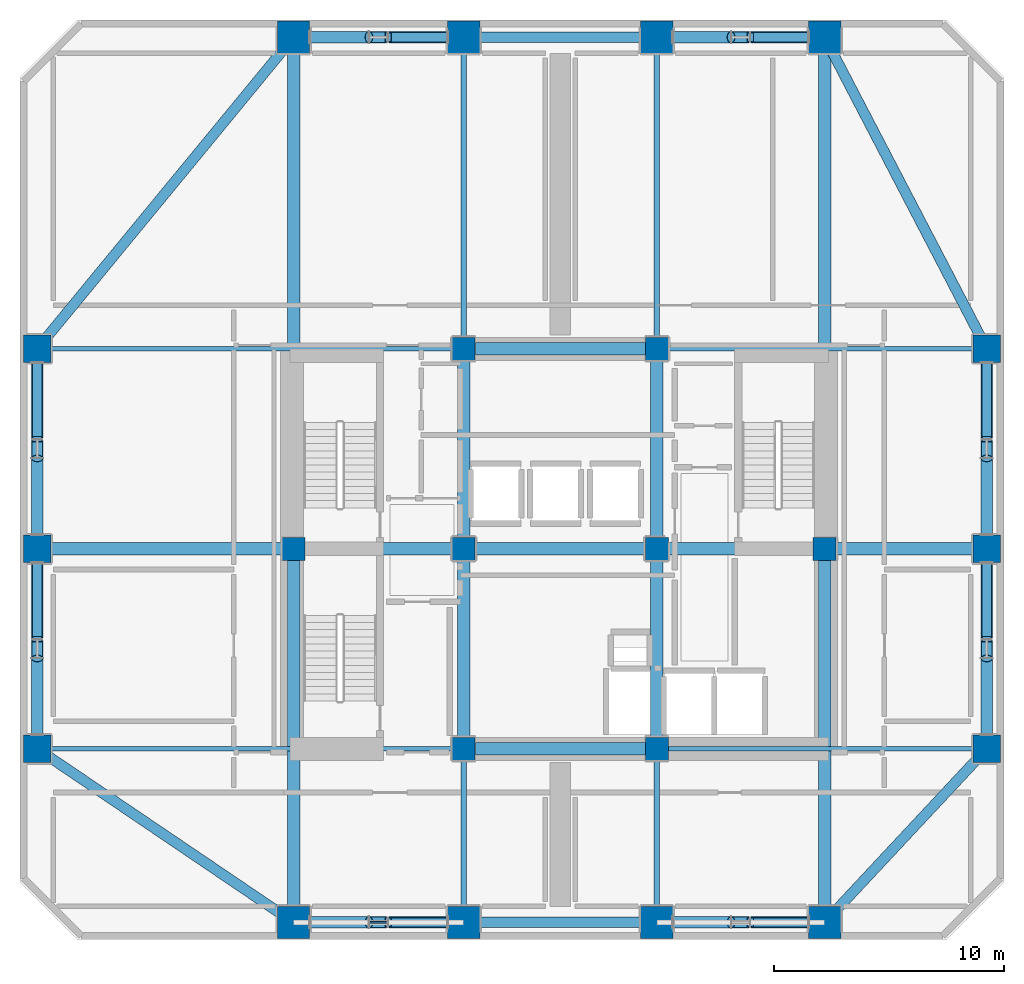
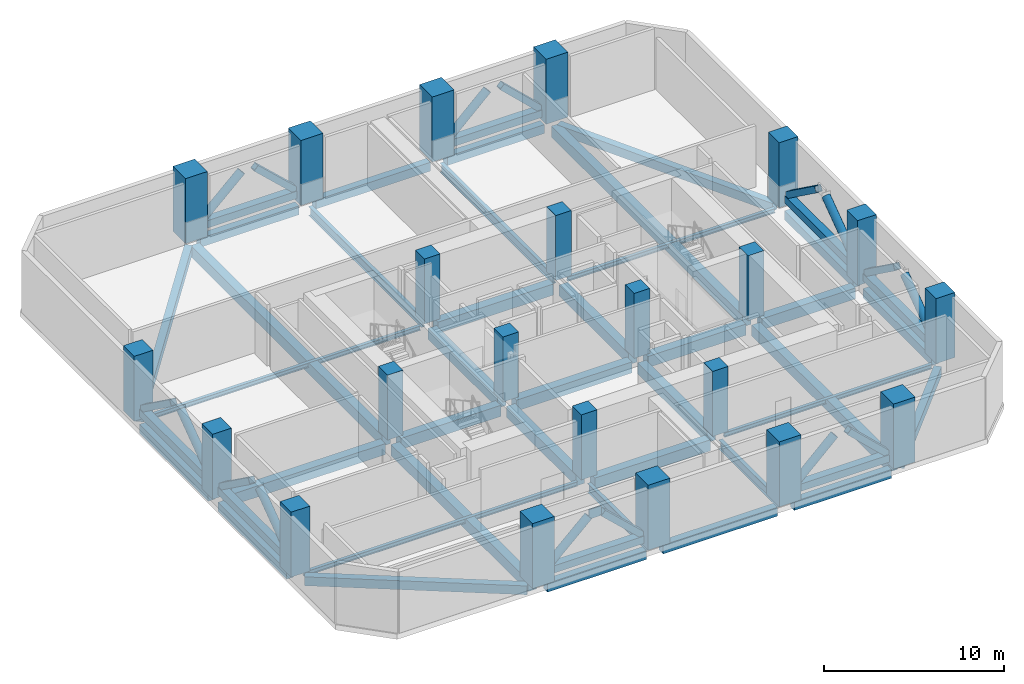
# One storey, part 1 of 11: 37 beams, 24 members, 22 columns, 1 plate.
"""IFC4 building model written with IfcOpenShell, lengths in metres."""

from ifc_helpers import new_model, si_unit, direction, frame, origin, origin_2d, place, context, subcontext, project, spatial, rectangle, hollow_rectangle, hollow_circle, i_section, extrude, material, layer, layer_set, material_profile, profile_set, type_object, element, save


model = new_model("IFC4")

# Units and contexts
model_context = context("Model", 3, precision=1e-05, world=origin(), true_north=direction((0.0, 1.0)))
body_context = subcontext(model_context, "Body", "Model", "MODEL_VIEW")
ifc_project = project(units=[si_unit("LENGTHUNIT", "METRE"), si_unit("AREAUNIT", "SQUARE_METRE"), si_unit("VOLUMEUNIT", "CUBIC_METRE"), si_unit("PLANEANGLEUNIT", "RADIAN"), si_unit("MASSUNIT", "GRAM", prefix="KILO")], contexts=[model_context])

# Site, building, storey
site_placement = place(None, origin())
site = spatial("IfcSite", under=ifc_project, at=site_placement, CompositionType="ELEMENT")
building_placement = place(site_placement, origin())
building = spatial("IfcBuilding", under=site, at=building_placement, Name="Solanera Arch Residences", CompositionType="ELEMENT")
storey_placement = place(building_placement, frame((0.0, 0.0, 88.39990234375)))
storey = spatial("IfcBuildingStorey", under=building, at=storey_placement, Name="L25", CompositionType="ELEMENT", Elevation=88.39990234375)

# Columns
ifc_material_1 = material(Name="Concrete C55/67 (f'c = 60 MPa)", Category="concrete")
ifc_material_profile_1 = material_profile(ifc_material_1, rectangle(XDim=1.0, YDim=1.0, at=origin_2d()))
ifc_profile_set_1 = profile_set([ifc_material_profile_1], Name="Concrete C55/67 (f'c = 60 MPa)")
column_type_1 = type_object("IfcColumnType", Name="Structural Column RC-COL-1000X1000", PredefinedType="COLUMN", material=ifc_profile_set_1)
for number, where, z_axis, x_axis, name in (
    (1, (20.800048828125, 22.0, 0.0), (0.0, 0.0, 1.0), (1.0, 0.0, 0.0), "COL-L25-CB-SW"),
    (2, (29.199951171875, 22.0, 0.0), (0.0, 0.0, 1.0), (1.0, 0.0, 0.0), "COL-L25-CB-SE"),
    (3, (20.800048828125, 39.39990234375, 0.0), (0.0, 0.0, 1.0), (1.0, 0.0, 0.0), "COL-L25-CB-NW"),
    (4, (29.199951171875, 39.39990234375, 0.0), (0.0, 0.0, 1.0), (1.0, 0.0, 0.0), "COL-L25-CB-NE"),
    (5, (13.39990234375, 30.699951171875, 0.0), (0.0, 0.0, 1.0), (1.0, 0.0, 0.0), "COL-L25-CB-WW"),
    (6, (36.5, 30.699951171875, 0.0), (0.0, 0.0, 1.0), (1.0, 0.0, 0.0), "COL-L25-CB-EE"),
    (7, (20.800048828125, 30.699951171875, 0.0), (0.0, 0.0, 1.0), (1.0, 0.0, 0.0), "COL-L25-CORE-W"),
    (8, (29.199951171875, 30.699951171875, 0.0), (0.0, 0.0, 1.0), (1.0, 0.0, 0.0), "COL-L25-CORE-E"),
):
    element("IfcColumn", number, at=place(storey_placement, frame(where, z_axis=z_axis, x_axis=x_axis)), inside=storey, type_object=column_type_1, Name=name, PredefinedType="COLUMN", context=body_context, shape_type="SweptSolid", body=[
        extrude(rectangle(XDim=1.0, YDim=1.0, at=origin_2d()), origin(), (0.0, 0.0, 1.0), 4.400146484375),
    ])
ifc_material_2 = material(Name="Concrete C55/67 (f'c = 60 MPa)", Category="concrete")
ifc_material_profile_2 = material_profile(ifc_material_2, rectangle(XDim=1.199951171875, YDim=1.199951171875, at=origin_2d()))
ifc_profile_set_2 = profile_set([ifc_material_profile_2], Name="Concrete C55/67 (f'c = 60 MPa)")
column_type_2 = type_object("IfcColumnType", Name="Structural Column RC-COL-1200X1200", PredefinedType="COLUMN", material=ifc_profile_set_2)
for number, where, z_axis, x_axis, name in (
    (9, (2.25, 22.0, 0.0), (0.0, 0.0, 1.0), (1.0, 0.0, 0.0), "COL-L25-TWR-09"),
    (10, (43.550048828125, 22.0, 0.0), (0.0, 0.0, 1.0), (1.0, 0.0, 0.0), "COL-L25-TWR-10"),
    (11, (2.25, 30.699951171875, 0.0), (0.0, 0.0, 1.0), (1.0, 0.0, 0.0), "COL-L25-TWR-11"),
    (12, (43.550048828125, 30.699951171875, 0.0), (0.0, 0.0, 1.0), (1.0, 0.0, 0.0), "COL-L25-TWR-12"),
    (13, (2.25, 39.39990234375, 0.0), (0.0, 0.0, 1.0), (1.0, 0.0, 0.0), "COL-L25-TWR-13"),
    (14, (43.550048828125, 39.39990234375, 0.0), (0.0, 0.0, 1.0), (1.0, 0.0, 0.0), "COL-L25-TWR-14"),
):
    element("IfcColumn", number, at=place(storey_placement, frame(where, z_axis=z_axis, x_axis=x_axis)), inside=storey, type_object=column_type_2, Name=name, PredefinedType="COLUMN", context=body_context, shape_type="SweptSolid", body=[
        extrude(rectangle(XDim=1.199951171875, YDim=1.199951171875, at=origin_2d()), origin(), (0.0, 0.0, 1.0), 4.400146484375),
    ])
ifc_material_3 = material(Name="Concrete C55/67 (f'c = 60 MPa)", Category="concrete")
ifc_material_profile_3 = material_profile(ifc_material_3, rectangle(XDim=1.39990234375, YDim=1.39990234375, at=origin_2d()))
ifc_profile_set_3 = profile_set([ifc_material_profile_3], Name="Concrete C55/67 (f'c = 60 MPa)")
column_type_3 = type_object("IfcColumnType", Name="Structural Column RC-COL-1400X1400", PredefinedType="COLUMN", material=ifc_profile_set_3)
for number, where, z_axis, x_axis, name in (
    (15, (13.39990234375, 14.449951171875, 0.0), (0.0, 0.0, 1.0), (1.0, 0.0, 0.0), "COL-L25-TWR-01"),
    (16, (13.39990234375, 52.949951171875, 0.0), (0.0, 0.0, 1.0), (1.0, 0.0, 0.0), "COL-L25-TWR-02"),
    (17, (20.800048828125, 14.449951171875, 0.0), (0.0, 0.0, 1.0), (1.0, 0.0, 0.0), "COL-L25-TWR-03"),
    (18, (20.800048828125, 52.949951171875, 0.0), (0.0, 0.0, 1.0), (1.0, 0.0, 0.0), "COL-L25-TWR-04"),
    (19, (29.199951171875, 14.449951171875, 0.0), (0.0, 0.0, 1.0), (1.0, 0.0, 0.0), "COL-L25-TWR-05"),
    (20, (29.199951171875, 52.949951171875, 0.0), (0.0, 0.0, 1.0), (1.0, 0.0, 0.0), "COL-L25-TWR-06"),
    (21, (36.5, 14.449951171875, 0.0), (0.0, 0.0, 1.0), (1.0, 0.0, 0.0), "COL-L25-TWR-07"),
    (22, (36.5, 52.949951171875, 0.0), (0.0, 0.0, 1.0), (1.0, 0.0, 0.0), "COL-L25-TWR-08"),
):
    element("IfcColumn", number, at=place(storey_placement, frame(where, z_axis=z_axis, x_axis=x_axis)), inside=storey, type_object=column_type_3, Name=name, PredefinedType="COLUMN", context=body_context, shape_type="SweptSolid", body=[
        extrude(rectangle(XDim=1.39990234375, YDim=1.39990234375, at=origin_2d()), origin(), (0.0, 0.0, 1.0), 4.400146484375),
    ])

# Members
ifc_material_4 = material(Name="Steel S355 (ASTM A992 / A572 Grade 50)", Category="steel")
ifc_material_profile_4 = material_profile(ifc_material_4, hollow_rectangle(XDim=0.5, YDim=0.5, WallThickness=0.02001953125, at=origin_2d()))
ifc_profile_set_4 = profile_set([ifc_material_profile_4], Name="Steel S355 (ASTM A992 / A572 Grade 50)")
member_type_1 = type_object("IfcMemberType", Name="Belt Chord HSS500X500X20", PredefinedType="CHORD", material=ifc_profile_set_4)
member_1_placement = place(storey_placement, frame((14.10009765625, 14.449951171875, 0.4501953125), z_axis=(1.0, 0.0, 0.0), x_axis=(0.0, 1.0, 0.0)))
element("IfcMember", 23, at=member_1_placement, inside=storey, type_object=member_type_1, Name="L25 Belt Truss Chord 1", PredefinedType="CHORD", context=body_context, shape_type="SweptSolid", body=[
    extrude(hollow_rectangle(XDim=0.5, YDim=0.5, WallThickness=0.02001953125, at=origin_2d()), origin(), (0.0, 0.0, 1.0), 6.0),
])
member_2_placement = place(storey_placement, frame((29.89990234375, 14.449951171875, 0.4501953125), z_axis=(1.0, 0.0, 0.0), x_axis=(0.0, 1.0, 0.0)))
element("IfcMember", 24, at=member_2_placement, inside=storey, type_object=member_type_1, Name="L25 Belt Truss Chord 2", PredefinedType="CHORD", context=body_context, shape_type="SweptSolid", body=[
    extrude(hollow_rectangle(XDim=0.5, YDim=0.5, WallThickness=0.02001953125, at=origin_2d()), origin(), (0.0, 0.0, 1.0), 5.900146484375),
])
member_3_placement = place(storey_placement, frame((14.10009765625, 52.949951171875, 0.4501953125), z_axis=(1.0, 0.0, 0.0), x_axis=(0.0, 1.0, 0.0)))
element("IfcMember", 25, at=member_3_placement, inside=storey, type_object=member_type_1, Name="L25 Belt Truss Chord 3", PredefinedType="CHORD", context=body_context, shape_type="SweptSolid", body=[
    extrude(hollow_rectangle(XDim=0.5, YDim=0.5, WallThickness=0.02001953125, at=origin_2d()), origin(), (0.0, 0.0, 1.0), 6.0),
])
member_4_placement = place(storey_placement, frame((29.89990234375, 52.949951171875, 0.4501953125), z_axis=(1.0, 0.0, 0.0), x_axis=(0.0, 1.0, 0.0)))
element("IfcMember", 26, at=member_4_placement, inside=storey, type_object=member_type_1, Name="L25 Belt Truss Chord 4", PredefinedType="CHORD", context=body_context, shape_type="SweptSolid", body=[
    extrude(hollow_rectangle(XDim=0.5, YDim=0.5, WallThickness=0.02001953125, at=origin_2d()), origin(), (0.0, 0.0, 1.0), 5.900146484375),
])
for number, where, z_axis, x_axis, name in (
    (27, (2.25, 22.60009765625, 0.4501953125), (0.0, 1.0, 0.0), (-1.0, 0.0, 0.0), "L25 Belt Truss Chord 5"),
    (28, (2.25, 31.300048828125, 0.4501953125), (0.0, 1.0, 0.0), (-1.0, 0.0, 0.0), "L25 Belt Truss Chord 6"),
    (29, (43.550048828125, 22.60009765625, 0.4501953125), (0.0, 1.0, 0.0), (-1.0, 0.0, 0.0), "L25 Belt Truss Chord 7"),
    (30, (43.550048828125, 31.300048828125, 0.4501953125), (0.0, 1.0, 0.0), (-1.0, 0.0, 0.0), "L25 Belt Truss Chord 8"),
):
    element("IfcMember", number, at=place(storey_placement, frame(where, z_axis=z_axis, x_axis=x_axis)), inside=storey, type_object=member_type_1, Name=name, PredefinedType="CHORD", context=body_context, shape_type="SweptSolid", body=[
        extrude(hollow_rectangle(XDim=0.5, YDim=0.5, WallThickness=0.02001953125, at=origin_2d()), origin(), (0.0, 0.0, 1.0), 7.5),
    ])
ifc_material_5 = material(Name="Steel S355 (ASTM A992 / A572 Grade 50)", Category="steel")
ifc_material_profile_5 = material_profile(ifc_material_5, hollow_circle(Radius=0.25390625, WallThickness=0.02001953125, at=origin_2d()))
ifc_profile_set_5 = profile_set([ifc_material_profile_5], Name="Steel S355 (ASTM A992 / A572 Grade 50)")
member_type_2 = type_object("IfcMemberType", Name="Outrigger Brace CHS508X20", PredefinedType="BRACE", material=ifc_profile_set_5)
member_5_placement = place(storey_placement, frame((14.1201171875, 14.449951171875, 0.72021484375), z_axis=(0.730255721345, 0.0, 0.683173902782), x_axis=(0.0, 1.0, 0.0)))
element("IfcMember", 31, at=member_5_placement, inside=storey, type_object=member_type_2, Name="L25 Belt Truss Diagonal 1A", PredefinedType="BRACE", context=body_context, shape_type="SweptSolid", body=[
    extrude(hollow_circle(Radius=0.25390625, WallThickness=0.02001953125, at=origin_2d()), origin(), (0.0, 0.0, 1.0), 3.50537109375),
])
member_6_placement = place(storey_placement, frame((29.919921875, 14.449951171875, 0.72021484375), z_axis=(0.723520085775, 0.0, 0.690303328603), x_axis=(0.0, 1.0, 0.0)))
element("IfcMember", 32, at=member_6_placement, inside=storey, type_object=member_type_2, Name="L25 Belt Truss Diagonal 2A", PredefinedType="BRACE", context=body_context, shape_type="SweptSolid", body=[
    extrude(hollow_circle(Radius=0.25390625, WallThickness=0.02001953125, at=origin_2d()), origin(), (0.0, 0.0, 1.0), 3.46923828125),
])
member_7_placement = place(storey_placement, frame((14.1201171875, 52.949951171875, 0.72021484375), z_axis=(0.730255721345, 0.0, 0.683173902782), x_axis=(0.0, 1.0, 0.0)))
element("IfcMember", 33, at=member_7_placement, inside=storey, type_object=member_type_2, Name="L25 Belt Truss Diagonal 3A", PredefinedType="BRACE", context=body_context, shape_type="SweptSolid", body=[
    extrude(hollow_circle(Radius=0.25390625, WallThickness=0.02001953125, at=origin_2d()), origin(), (0.0, 0.0, 1.0), 3.50537109375),
])
member_8_placement = place(storey_placement, frame((29.919921875, 52.949951171875, 0.72021484375), z_axis=(0.723520085775, 0.0, 0.690303328603), x_axis=(0.0, 1.0, 0.0)))
element("IfcMember", 34, at=member_8_placement, inside=storey, type_object=member_type_2, Name="L25 Belt Truss Diagonal 4A", PredefinedType="BRACE", context=body_context, shape_type="SweptSolid", body=[
    extrude(hollow_circle(Radius=0.25390625, WallThickness=0.02001953125, at=origin_2d()), origin(), (0.0, 0.0, 1.0), 3.46923828125),
])
for number, where, z_axis, x_axis, name in (
    (35, (2.25, 22.6201171875, 0.72021484375), (0.0, 0.810173082916, 0.586190733224), (-1.0, 0.0, 0.0), "L25 Belt Truss Diagonal 5A"),
    (36, (2.25, 31.320068359375, 0.72021484375), (0.0, 0.810173082916, 0.586190733224), (-1.0, 0.0, 0.0), "L25 Belt Truss Diagonal 6A"),
    (37, (43.550048828125, 22.6201171875, 0.72021484375), (0.0, 0.810173082916, 0.586190733224), (-1.0, 0.0, 0.0), "L25 Belt Truss Diagonal 7A"),
    (38, (43.550048828125, 31.320068359375, 0.72021484375), (0.0, 0.810173082916, 0.586190733224), (-1.0, 0.0, 0.0), "L25 Belt Truss Diagonal 8A"),
):
    element("IfcMember", number, at=place(storey_placement, frame(where, z_axis=z_axis, x_axis=x_axis)), inside=storey, type_object=member_type_2, Name=name, PredefinedType="BRACE", context=body_context, shape_type="SweptSolid", body=[
        extrude(hollow_circle(Radius=0.25390625, WallThickness=0.02001953125, at=origin_2d()), origin(), (0.0, 0.0, 1.0), 4.085205078125),
    ])
ifc_material_6 = material(Name="Steel S355 (ASTM A992 / A572 Grade 50)", Category="steel")
ifc_material_profile_6 = material_profile(ifc_material_6, hollow_rectangle(XDim=0.39990234375, YDim=0.39990234375, WallThickness=0.01611328125, at=origin_2d()))
ifc_profile_set_6 = profile_set([ifc_material_profile_6], Name="Steel S355 (ASTM A992 / A572 Grade 50)")
member_type_3 = type_object("IfcMemberType", Name="Outrigger Brace HSS400X400X16", PredefinedType="BRACE", material=ifc_profile_set_6)
member_9_placement = place(storey_placement, frame((20.080078125, 14.449951171875, 0.72021484375), z_axis=(-0.73028822528, 0.0, 0.68313915714), x_axis=(0.0, -1.0, 0.0)))
element("IfcMember", 39, at=member_9_placement, inside=storey, type_object=member_type_3, Name="L25 Belt Truss Diagonal 1B", PredefinedType="BRACE", context=body_context, shape_type="SweptSolid", body=[
    extrude(hollow_rectangle(XDim=0.39990234375, YDim=0.39990234375, WallThickness=0.01611328125, at=origin_2d()), origin(), (0.0, 0.0, 1.0), 3.505615234375),
])
member_10_placement = place(storey_placement, frame((35.780029296875, 14.449951171875, 0.72021484375), z_axis=(-0.723520085775, 0.0, 0.690303328603), x_axis=(0.0, -1.0, 0.0)))
element("IfcMember", 40, at=member_10_placement, inside=storey, type_object=member_type_3, Name="L25 Belt Truss Diagonal 2B", PredefinedType="BRACE", context=body_context, shape_type="SweptSolid", body=[
    extrude(hollow_rectangle(XDim=0.39990234375, YDim=0.39990234375, WallThickness=0.01611328125, at=origin_2d()), origin(), (0.0, 0.0, 1.0), 3.46923828125),
])
member_11_placement = place(storey_placement, frame((20.080078125, 52.949951171875, 0.72021484375), z_axis=(-0.73028822528, 0.0, 0.68313915714), x_axis=(0.0, -1.0, 0.0)))
element("IfcMember", 41, at=member_11_placement, inside=storey, type_object=member_type_3, Name="L25 Belt Truss Diagonal 3B", PredefinedType="BRACE", context=body_context, shape_type="SweptSolid", body=[
    extrude(hollow_rectangle(XDim=0.39990234375, YDim=0.39990234375, WallThickness=0.01611328125, at=origin_2d()), origin(), (0.0, 0.0, 1.0), 3.505615234375),
])
member_12_placement = place(storey_placement, frame((35.780029296875, 52.949951171875, 0.72021484375), z_axis=(-0.723520085775, 0.0, 0.690303328603), x_axis=(0.0, -1.0, 0.0)))
element("IfcMember", 42, at=member_12_placement, inside=storey, type_object=member_type_3, Name="L25 Belt Truss Diagonal 4B", PredefinedType="BRACE", context=body_context, shape_type="SweptSolid", body=[
    extrude(hollow_rectangle(XDim=0.39990234375, YDim=0.39990234375, WallThickness=0.01611328125, at=origin_2d()), origin(), (0.0, 0.0, 1.0), 3.46923828125),
])
for number, where, z_axis, x_axis, name in (
    (43, (2.25, 30.080078125, 0.72021484375), (0.0, -0.810193616302, 0.586162353025), (1.0, 0.0, 0.0), "L25 Belt Truss Diagonal 5B"),
    (44, (2.25, 38.780029296875, 0.72021484375), (0.0, -0.810193616302, 0.586162353025), (1.0, 0.0, 0.0), "L25 Belt Truss Diagonal 6B"),
    (45, (43.550048828125, 30.080078125, 0.72021484375), (0.0, -0.810193616302, 0.586162353025), (1.0, 0.0, 0.0), "L25 Belt Truss Diagonal 7B"),
    (46, (43.550048828125, 38.780029296875, 0.72021484375), (0.0, -0.810193616302, 0.586162353025), (1.0, 0.0, 0.0), "L25 Belt Truss Diagonal 8B"),
):
    element("IfcMember", number, at=place(storey_placement, frame(where, z_axis=z_axis, x_axis=x_axis)), inside=storey, type_object=member_type_3, Name=name, PredefinedType="BRACE", context=body_context, shape_type="SweptSolid", body=[
        extrude(hollow_rectangle(XDim=0.39990234375, YDim=0.39990234375, WallThickness=0.01611328125, at=origin_2d()), origin(), (0.0, 0.0, 1.0), 4.08544921875),
    ])

# Beams
ifc_material_7 = material(Name="Concrete C40/50 (f'c = 45 MPa)", Category="concrete")
ifc_material_profile_7 = material_profile(ifc_material_7, rectangle(XDim=0.550048828125, YDim=0.75, at=origin_2d()))
ifc_profile_set_7 = profile_set([ifc_material_profile_7], Name="Concrete C40/50 (f'c = 45 MPa)")
beam_type_1 = type_object("IfcBeamType", Name="Primary Beam RC-BM-550X750", PredefinedType="BEAM", material=ifc_profile_set_7)
beam_1_placement = place(storey_placement, frame((20.800048828125, 22.50390625, -0.73486328125), z_axis=(0.0, 1.0, 0.0), x_axis=(-1.0, 0.0, 0.0)))
element("IfcBeam", 47, at=beam_1_placement, inside=storey, type_object=beam_type_1, Name="BM-L25-CC-S-208", PredefinedType="BEAM", context=body_context, shape_type="SweptSolid", body=[
    extrude(rectangle(XDim=0.550048828125, YDim=0.75, at=origin_2d()), origin(), (0.0, 0.0, 1.0), 7.692138671875),
])
beam_2_placement = place(storey_placement, frame((20.800048828125, 31.2041015625, -0.73486328125), z_axis=(0.0, 1.0, 0.0), x_axis=(-1.0, 0.0, 0.0)))
element("IfcBeam", 48, at=beam_2_placement, inside=storey, type_object=beam_type_1, Name="BM-L25-CC-N-208", PredefinedType="BEAM", context=body_context, shape_type="SweptSolid", body=[
    extrude(rectangle(XDim=0.550048828125, YDim=0.75, at=origin_2d()), origin(), (0.0, 0.0, 1.0), 7.69189453125),
])
beam_3_placement = place(storey_placement, frame((29.199951171875, 22.50390625, -0.73486328125), z_axis=(0.0, 1.0, 0.0), x_axis=(-1.0, 0.0, 0.0)))
element("IfcBeam", 49, at=beam_3_placement, inside=storey, type_object=beam_type_1, Name="BM-L25-CC-S-292", PredefinedType="BEAM", context=body_context, shape_type="SweptSolid", body=[
    extrude(rectangle(XDim=0.550048828125, YDim=0.75, at=origin_2d()), origin(), (0.0, 0.0, 1.0), 7.692138671875),
])
beam_4_placement = place(storey_placement, frame((29.199951171875, 31.2041015625, -0.73486328125), z_axis=(0.0, 1.0, 0.0), x_axis=(-1.0, 0.0, 0.0)))
element("IfcBeam", 50, at=beam_4_placement, inside=storey, type_object=beam_type_1, Name="BM-L25-CC-N-292", PredefinedType="BEAM", context=body_context, shape_type="SweptSolid", body=[
    extrude(rectangle(XDim=0.550048828125, YDim=0.75, at=origin_2d()), origin(), (0.0, 0.0, 1.0), 7.69189453125),
])
for number, where, z_axis, x_axis, name in (
    (51, (21.303955078125, 22.0, -0.73486328125), (1.0, 0.0, 0.0), (0.0, 1.0, 0.0), "BM-L25-CC-M-220"),
    (52, (21.303955078125, 30.699951171875, -0.73486328125), (1.0, 0.0, 0.0), (0.0, 1.0, 0.0), "BM-L25-CC-M-307"),
    (53, (21.303955078125, 39.39990234375, -0.73486328125), (1.0, 0.0, 0.0), (0.0, 1.0, 0.0), "BM-L25-CC-M-394"),
):
    element("IfcBeam", number, at=place(storey_placement, frame(where, z_axis=z_axis, x_axis=x_axis)), inside=storey, type_object=beam_type_1, Name=name, PredefinedType="BEAM", context=body_context, shape_type="SweptSolid", body=[
        extrude(rectangle(XDim=0.550048828125, YDim=0.75, at=origin_2d()), origin(), (0.0, 0.0, 1.0), 7.39208984375),
    ])
beam_5_placement = place(storey_placement, frame((13.904052734375, 30.699951171875, -0.73486328125), z_axis=(1.0, 0.0, 0.0), x_axis=(0.0, 1.0, 0.0)))
element("IfcBeam", 54, at=beam_5_placement, inside=storey, type_object=beam_type_1, Name="BM-L25-CC-W", PredefinedType="BEAM", context=body_context, shape_type="SweptSolid", body=[
    extrude(rectangle(XDim=0.550048828125, YDim=0.75, at=origin_2d()), origin(), (0.0, 0.0, 1.0), 6.391845703125),
])
beam_6_placement = place(storey_placement, frame((29.7041015625, 30.699951171875, -0.73486328125), z_axis=(1.0, 0.0, 0.0), x_axis=(0.0, 1.0, 0.0)))
element("IfcBeam", 55, at=beam_6_placement, inside=storey, type_object=beam_type_1, Name="BM-L25-CC-E", PredefinedType="BEAM", context=body_context, shape_type="SweptSolid", body=[
    extrude(rectangle(XDim=0.550048828125, YDim=0.75, at=origin_2d()), origin(), (0.0, 0.0, 1.0), 6.2919921875),
])
beam_7_placement = place(storey_placement, frame((13.39990234375, 14.989990234375, -0.73486328125), z_axis=(0.0, 1.0, 0.0), x_axis=(-1.0, 0.0, 0.0)))
element("IfcBeam", 56, at=beam_7_placement, inside=storey, type_object=beam_type_1, Name="BM-L25-RAD-OS-134", PredefinedType="BEAM", context=body_context, shape_type="SweptSolid", body=[
    extrude(rectangle(XDim=0.550048828125, YDim=0.75, at=origin_2d()), origin(), (0.0, 0.0, 1.0), 15.2060546875),
])
beam_8_placement = place(storey_placement, frame((13.39990234375, 31.2041015625, -0.73486328125), z_axis=(0.0, 1.0, 0.0), x_axis=(-1.0, 0.0, 0.0)))
element("IfcBeam", 57, at=beam_8_placement, inside=storey, type_object=beam_type_1, Name="BM-L25-RAD-ON-134", PredefinedType="BEAM", context=body_context, shape_type="SweptSolid", body=[
    extrude(rectangle(XDim=0.550048828125, YDim=0.75, at=origin_2d()), origin(), (0.0, 0.0, 1.0), 21.205810546875),
])
beam_9_placement = place(storey_placement, frame((36.5, 14.989990234375, -0.73486328125), z_axis=(0.0, 1.0, 0.0), x_axis=(-1.0, 0.0, 0.0)))
element("IfcBeam", 58, at=beam_9_placement, inside=storey, type_object=beam_type_1, Name="BM-L25-RAD-OS-365", PredefinedType="BEAM", context=body_context, shape_type="SweptSolid", body=[
    extrude(rectangle(XDim=0.550048828125, YDim=0.75, at=origin_2d()), origin(), (0.0, 0.0, 1.0), 15.2060546875),
])
beam_10_placement = place(storey_placement, frame((36.5, 31.2041015625, -0.73486328125), z_axis=(0.0, 1.0, 0.0), x_axis=(-1.0, 0.0, 0.0)))
element("IfcBeam", 59, at=beam_10_placement, inside=storey, type_object=beam_type_1, Name="BM-L25-RAD-ON-365", PredefinedType="BEAM", context=body_context, shape_type="SweptSolid", body=[
    extrude(rectangle(XDim=0.550048828125, YDim=0.75, at=origin_2d()), origin(), (0.0, 0.0, 1.0), 21.205810546875),
])
beam_11_placement = place(storey_placement, frame((2.7900390625, 30.699951171875, -0.73486328125), z_axis=(1.0, 0.0, 0.0), x_axis=(0.0, 1.0, 0.0)))
element("IfcBeam", 60, at=beam_11_placement, inside=storey, type_object=beam_type_1, Name="BM-L25-RAD-MW", PredefinedType="BEAM", context=body_context, shape_type="SweptSolid", body=[
    extrude(rectangle(XDim=0.550048828125, YDim=0.75, at=origin_2d()), origin(), (0.0, 0.0, 1.0), 10.10595703125),
])
beam_12_placement = place(storey_placement, frame((37.00390625, 30.699951171875, -0.73486328125), z_axis=(1.0, 0.0, 0.0), x_axis=(0.0, 1.0, 0.0)))
element("IfcBeam", 61, at=beam_12_placement, inside=storey, type_object=beam_type_1, Name="BM-L25-RAD-ME", PredefinedType="BEAM", context=body_context, shape_type="SweptSolid", body=[
    extrude(rectangle(XDim=0.550048828125, YDim=0.75, at=origin_2d()), origin(), (0.0, 0.0, 1.0), 6.006103515625),
])
ifc_material_8 = material(Name="Steel S355 (ASTM A992 / A572 Grade 50)", Category="steel")
ifc_material_profile_8 = material_profile(ifc_material_8, i_section(OverallWidth=0.22998046875, OverallDepth=0.616943359375, WebThickness=0.01318359375, FlangeThickness=0.022216796875, at=origin_2d()))
ifc_profile_set_8 = profile_set([ifc_material_profile_8], Name="Steel S355 (ASTM A992 / A572 Grade 50)")
beam_type_2 = type_object("IfcBeamType", Name="Primary Beam W610X140", PredefinedType="BEAM", material=ifc_profile_set_8)
beam_13_placement = place(storey_placement, frame((20.800048828125, 14.989990234375, -0.66796875), z_axis=(0.0, 1.0, 0.0), x_axis=(-1.0, 0.0, 0.0)))
element("IfcBeam", 62, at=beam_13_placement, inside=storey, type_object=beam_type_2, Name="BM-L25-RAD-S-208", PredefinedType="BEAM", context=body_context, shape_type="SweptSolid", body=[
    extrude(i_section(OverallWidth=0.22998046875, OverallDepth=0.616943359375, WebThickness=0.01318359375, FlangeThickness=0.022216796875, at=origin_2d()), origin(), (0.0, 0.0, 1.0), 6.506103515625),
])
beam_14_placement = place(storey_placement, frame((20.800048828125, 39.904052734375, -0.66796875), z_axis=(0.0, 1.0, 0.0), x_axis=(-1.0, 0.0, 0.0)))
element("IfcBeam", 63, at=beam_14_placement, inside=storey, type_object=beam_type_2, Name="BM-L25-RAD-N-208", PredefinedType="BEAM", context=body_context, shape_type="SweptSolid", body=[
    extrude(i_section(OverallWidth=0.22998046875, OverallDepth=0.616943359375, WebThickness=0.01318359375, FlangeThickness=0.022216796875, at=origin_2d()), origin(), (0.0, 0.0, 1.0), 12.505859375),
])
beam_15_placement = place(storey_placement, frame((29.199951171875, 14.989990234375, -0.66796875), z_axis=(0.0, 1.0, 0.0), x_axis=(-1.0, 0.0, 0.0)))
element("IfcBeam", 64, at=beam_15_placement, inside=storey, type_object=beam_type_2, Name="BM-L25-RAD-S-292", PredefinedType="BEAM", context=body_context, shape_type="SweptSolid", body=[
    extrude(i_section(OverallWidth=0.22998046875, OverallDepth=0.616943359375, WebThickness=0.01318359375, FlangeThickness=0.022216796875, at=origin_2d()), origin(), (0.0, 0.0, 1.0), 6.506103515625),
])
beam_16_placement = place(storey_placement, frame((29.199951171875, 39.904052734375, -0.66796875), z_axis=(0.0, 1.0, 0.0), x_axis=(-1.0, 0.0, 0.0)))
element("IfcBeam", 65, at=beam_16_placement, inside=storey, type_object=beam_type_2, Name="BM-L25-RAD-N-292", PredefinedType="BEAM", context=body_context, shape_type="SweptSolid", body=[
    extrude(i_section(OverallWidth=0.22998046875, OverallDepth=0.616943359375, WebThickness=0.01318359375, FlangeThickness=0.022216796875, at=origin_2d()), origin(), (0.0, 0.0, 1.0), 12.505859375),
])
ifc_material_9 = material(Name="Steel S355 (ASTM A992 / A572 Grade 50)", Category="steel")
ifc_material_profile_9 = material_profile(ifc_material_9, i_section(OverallWidth=0.202880859375, OverallDepth=0.302978515625, WebThickness=0.007568359375, FlangeThickness=0.01318359375, at=origin_2d()))
ifc_profile_set_9 = profile_set([ifc_material_profile_9], Name="Steel S355 (ASTM A992 / A572 Grade 50)")
beam_type_3 = type_object("IfcBeamType", Name="Secondary Joist W310X60", PredefinedType="JOIST", material=ifc_profile_set_9)
beam_17_placement = place(storey_placement, frame((2.7900390625, 22.0, -0.510986328125), z_axis=(1.0, 0.0, 0.0), x_axis=(0.0, 1.0, 0.0)))
element("IfcBeam", 66, at=beam_17_placement, inside=storey, type_object=beam_type_3, Name="BM-L25-RAD-W-220", PredefinedType="JOIST", context=body_context, shape_type="SweptSolid", body=[
    extrude(i_section(OverallWidth=0.202880859375, OverallDepth=0.302978515625, WebThickness=0.007568359375, FlangeThickness=0.01318359375, at=origin_2d()), origin(), (0.0, 0.0, 1.0), 17.505859375),
])
beam_18_placement = place(storey_placement, frame((29.7041015625, 22.0, -0.510986328125), z_axis=(1.0, 0.0, 0.0), x_axis=(0.0, 1.0, 0.0)))
element("IfcBeam", 67, at=beam_18_placement, inside=storey, type_object=beam_type_3, Name="BM-L25-RAD-E-220", PredefinedType="JOIST", context=body_context, shape_type="SweptSolid", body=[
    extrude(i_section(OverallWidth=0.202880859375, OverallDepth=0.302978515625, WebThickness=0.007568359375, FlangeThickness=0.01318359375, at=origin_2d()), origin(), (0.0, 0.0, 1.0), 13.305908203125),
])
beam_19_placement = place(storey_placement, frame((2.7900390625, 39.39990234375, -0.510986328125), z_axis=(1.0, 0.0, 0.0), x_axis=(0.0, 1.0, 0.0)))
element("IfcBeam", 68, at=beam_19_placement, inside=storey, type_object=beam_type_3, Name="BM-L25-RAD-W-394", PredefinedType="JOIST", context=body_context, shape_type="SweptSolid", body=[
    extrude(i_section(OverallWidth=0.202880859375, OverallDepth=0.302978515625, WebThickness=0.007568359375, FlangeThickness=0.01318359375, at=origin_2d()), origin(), (0.0, 0.0, 1.0), 17.505859375),
])
beam_20_placement = place(storey_placement, frame((29.7041015625, 39.39990234375, -0.510986328125), z_axis=(1.0, 0.0, 0.0), x_axis=(0.0, 1.0, 0.0)))
element("IfcBeam", 69, at=beam_20_placement, inside=storey, type_object=beam_type_3, Name="BM-L25-RAD-E-394", PredefinedType="JOIST", context=body_context, shape_type="SweptSolid", body=[
    extrude(i_section(OverallWidth=0.202880859375, OverallDepth=0.302978515625, WebThickness=0.007568359375, FlangeThickness=0.01318359375, at=origin_2d()), origin(), (0.0, 0.0, 1.0), 13.305908203125),
])
ifc_material_10 = material(Name="Concrete C40/50 (f'c = 45 MPa)", Category="concrete")
ifc_material_profile_10 = material_profile(ifc_material_10, rectangle(XDim=0.449951171875, YDim=0.60009765625, at=origin_2d()))
ifc_profile_set_10 = profile_set([ifc_material_profile_10], Name="Concrete C40/50 (f'c = 45 MPa)")
beam_type_4 = type_object("IfcBeamType", Name="Spandrel Beam RC-BM-450X600", PredefinedType="SPANDREL", material=ifc_profile_set_10)
for number, where, z_axis, x_axis, name in (
    (70, (13.93994140625, 14.449951171875, -0.659912109375), (1.0, 0.0, 0.0), (0.0, 1.0, 0.0), "BM-L25-SPN-S-1"),
    (71, (13.93994140625, 52.949951171875, -0.659912109375), (1.0, 0.0, 0.0), (0.0, 1.0, 0.0), "BM-L25-SPN-N-1"),
):
    element("IfcBeam", number, at=place(storey_placement, frame(where, z_axis=z_axis, x_axis=x_axis)), inside=storey, type_object=beam_type_4, Name=name, PredefinedType="SPANDREL", context=body_context, shape_type="SweptSolid", body=[
        extrude(rectangle(XDim=0.449951171875, YDim=0.60009765625, at=origin_2d()), origin(), (0.0, 0.0, 1.0), 6.320068359375),
    ])
for number, where, z_axis, x_axis, name in (
    (72, (21.340087890625, 14.449951171875, -0.659912109375), (1.0, 0.0, 0.0), (0.0, 1.0, 0.0), "BM-L25-SPN-S-2"),
    (73, (21.340087890625, 52.949951171875, -0.659912109375), (1.0, 0.0, 0.0), (0.0, 1.0, 0.0), "BM-L25-SPN-N-2"),
):
    element("IfcBeam", number, at=place(storey_placement, frame(where, z_axis=z_axis, x_axis=x_axis)), inside=storey, type_object=beam_type_4, Name=name, PredefinedType="SPANDREL", context=body_context, shape_type="SweptSolid", body=[
        extrude(rectangle(XDim=0.449951171875, YDim=0.60009765625, at=origin_2d()), origin(), (0.0, 0.0, 1.0), 7.31982421875),
    ])
for number, where, z_axis, x_axis, name in (
    (74, (29.739990234375, 14.449951171875, -0.659912109375), (1.0, 0.0, 0.0), (0.0, 1.0, 0.0), "BM-L25-SPN-S-3"),
    (75, (29.739990234375, 52.949951171875, -0.659912109375), (1.0, 0.0, 0.0), (0.0, 1.0, 0.0), "BM-L25-SPN-N-3"),
):
    element("IfcBeam", number, at=place(storey_placement, frame(where, z_axis=z_axis, x_axis=x_axis)), inside=storey, type_object=beam_type_4, Name=name, PredefinedType="SPANDREL", context=body_context, shape_type="SweptSolid", body=[
        extrude(rectangle(XDim=0.449951171875, YDim=0.60009765625, at=origin_2d()), origin(), (0.0, 0.0, 1.0), 6.219970703125),
    ])
for number, where, z_axis, x_axis, name in (
    (76, (2.25, 22.5400390625, -0.659912109375), (0.0, 1.0, 0.0), (-1.0, 0.0, 0.0), "BM-L25-SPN-W-1"),
    (77, (43.550048828125, 22.5400390625, -0.659912109375), (0.0, 1.0, 0.0), (-1.0, 0.0, 0.0), "BM-L25-SPN-E-1"),
):
    element("IfcBeam", number, at=place(storey_placement, frame(where, z_axis=z_axis, x_axis=x_axis)), inside=storey, type_object=beam_type_4, Name=name, PredefinedType="SPANDREL", context=body_context, shape_type="SweptSolid", body=[
        extrude(rectangle(XDim=0.449951171875, YDim=0.60009765625, at=origin_2d()), origin(), (0.0, 0.0, 1.0), 7.619873046875),
    ])
for number, where, z_axis, x_axis, name in (
    (78, (2.25, 31.239990234375, -0.659912109375), (0.0, 1.0, 0.0), (-1.0, 0.0, 0.0), "BM-L25-SPN-W-2"),
    (79, (43.550048828125, 31.239990234375, -0.659912109375), (0.0, 1.0, 0.0), (-1.0, 0.0, 0.0), "BM-L25-SPN-E-2"),
):
    element("IfcBeam", number, at=place(storey_placement, frame(where, z_axis=z_axis, x_axis=x_axis)), inside=storey, type_object=beam_type_4, Name=name, PredefinedType="SPANDREL", context=body_context, shape_type="SweptSolid", body=[
        extrude(rectangle(XDim=0.449951171875, YDim=0.60009765625, at=origin_2d()), origin(), (0.0, 0.0, 1.0), 7.6201171875),
    ])
beam_21_placement = place(storey_placement, frame((12.952880859375, 14.7529296875, -0.659912109375), z_axis=(-0.828047103834, 0.560658535859, 0.0), x_axis=(-0.560658535859, -0.828047103834, 0.0)))
element("IfcBeam", 80, at=beam_21_placement, inside=storey, type_object=beam_type_4, Name="BM-L25-SPN-SW", PredefinedType="SPANDREL", context=body_context, shape_type="SweptSolid", body=[
    extrude(rectangle(XDim=0.449951171875, YDim=0.60009765625, at=origin_2d()), origin(), (0.0, 0.0, 1.0), 12.385498046875),
])
beam_22_placement = place(storey_placement, frame((13.056884765625, 52.532958984375, -0.659912109375), z_axis=(-0.635411006368, -0.772174107949, 0.0), x_axis=(0.772174107949, -0.635411006368, 0.0)))
element("IfcBeam", 81, at=beam_22_placement, inside=storey, type_object=beam_type_4, Name="BM-L25-SPN-NW", PredefinedType="SPANDREL", context=body_context, shape_type="SweptSolid", body=[
    extrude(rectangle(XDim=0.449951171875, YDim=0.60009765625, at=origin_2d()), origin(), (0.0, 0.0, 1.0), 16.4677734375),
])
beam_23_placement = place(storey_placement, frame((36.868896484375, 14.844970703125, -0.659912109375), z_axis=(0.68247247993, 0.730911290198, 0.0), x_axis=(-0.730911290198, 0.68247247993, 0.0)))
element("IfcBeam", 82, at=beam_23_placement, inside=storey, type_object=beam_type_4, Name="BM-L25-SPN-SE", PredefinedType="SPANDREL", context=body_context, shape_type="SweptSolid", body=[
    extrude(rectangle(XDim=0.449951171875, YDim=0.60009765625, at=origin_2d()), origin(), (0.0, 0.0, 1.0), 9.248779296875),
])
beam_24_placement = place(storey_placement, frame((36.7490234375, 52.470947265625, -0.659912109375), z_axis=(0.461582336362, -0.887097371633, 0.0), x_axis=(0.887097371633, 0.461582336362, 0.0)))
element("IfcBeam", 83, at=beam_24_placement, inside=storey, type_object=beam_type_4, Name="BM-L25-SPN-NE", PredefinedType="SPANDREL", context=body_context, shape_type="SweptSolid", body=[
    extrude(rectangle(XDim=0.449951171875, YDim=0.60009765625, at=origin_2d()), origin(), (0.0, 0.0, 1.0), 14.194580078125),
])

# Plate
ifc_material_11 = material(Name="Steel S355 (ASTM A992 / A572 Grade 50)", Category="steel")
ifc_layer = layer(ifc_material_11, 0.080078125)
ifc_layer_set = layer_set([ifc_layer], Name="Steel S355 (ASTM A992 / A572 Grade 50)")
plate_type = type_object("IfcPlateType", Name="Gusset Plate GP-80B", PredefinedType="USERDEFINED", material=ifc_layer_set)
plate_placement = place(storey_placement, frame((17.10009765625, 14.449951171875, 2.89013671875), z_axis=(0.0, 0.0, 1.0), x_axis=(1.0, 0.0, 0.0)))
element("IfcPlate", 84, at=plate_placement, inside=storey, type_object=plate_type, Name="L25 Belt Truss Apex Gusset GP-80 1", ObjectType="GUSSET", PredefinedType="USERDEFINED", context=body_context, shape_type="SweptSolid", body=[
    extrude(rectangle(XDim=0.800048828125, YDim=0.080078125, at=origin_2d()), origin(), (0.0, 0.0, 1.0), 0.64990234375),
])

save(model, "model.ifc")
